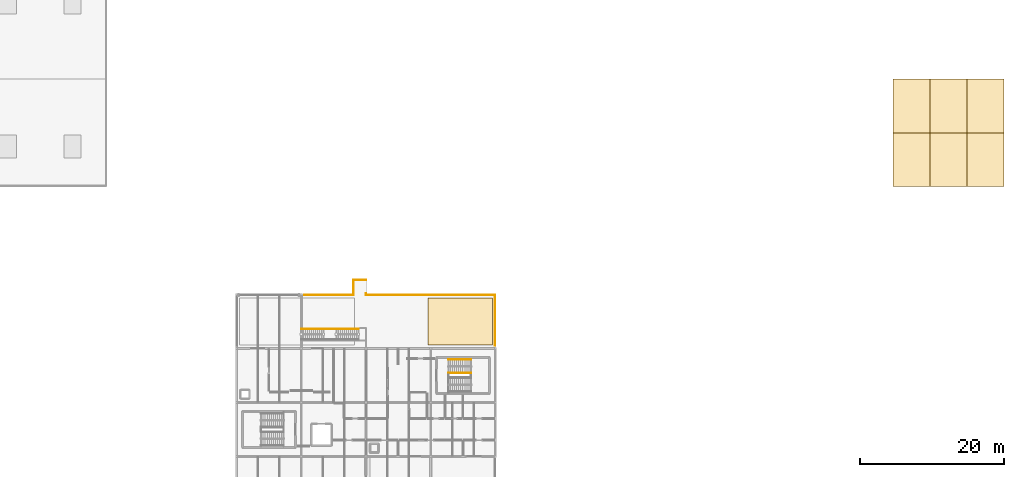
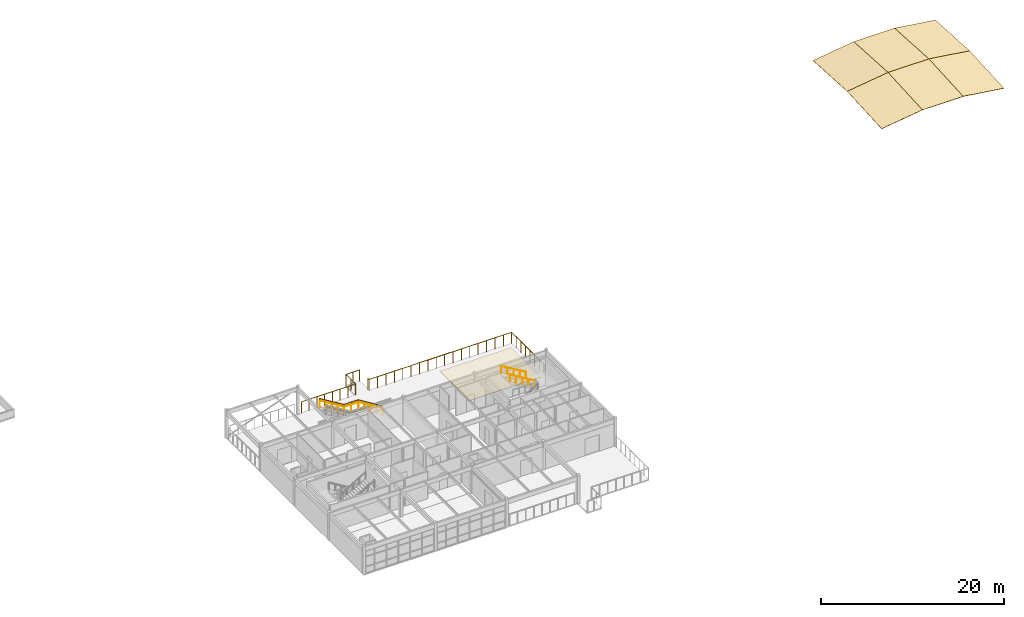
# One storey, part 24 of 24: 7 coverings, 6 railings.
"""IFC4 building model written with IfcOpenShell, lengths in metres."""

from ifc_helpers import new_model, si_unit, direction, frame, origin, origin_2d, place, context, subcontext, project, spatial, polyline, circle, outline, extrude, material, layer, layer_set, type_object, element, save


model = new_model("IFC4")

# Units and contexts
model_context = context("Model", 3, precision=1e-05, world=origin(), true_north=direction((0.0, 1.0)))
body_context = subcontext(model_context, "Body", "Model", "MODEL_VIEW")
ifc_project = project(units=[si_unit("LENGTHUNIT", "METRE"), si_unit("AREAUNIT", "SQUARE_METRE"), si_unit("VOLUMEUNIT", "CUBIC_METRE"), si_unit("PLANEANGLEUNIT", "RADIAN"), si_unit("MASSUNIT", "GRAM", prefix="KILO")], contexts=[model_context])

# Site, building, storey
site_placement = place(None, origin())
site = spatial("IfcSite", under=ifc_project, at=site_placement, CompositionType="ELEMENT")
building_placement = place(site_placement, origin())
building = spatial("IfcBuilding", under=site, at=building_placement, Name="Marnridge Secondary College", CompositionType="ELEMENT")
storey_placement = place(building_placement, frame((0.0, 0.0, 16.10009765625)))
storey = spatial("IfcBuildingStorey", under=building, at=storey_placement, Name="L04", CompositionType="ELEMENT", Elevation=16.10009765625)

# Coverings
ifc_material_1 = material(Name="Charred jarrah acoustic soffit cladding", Category="wood")
ifc_layer_1 = layer(ifc_material_1, 0.034912109375)
ifc_layer_set_1 = layer_set([ifc_layer_1], Name="CV-CLAD-TIM")
covering_type_1 = type_object("IfcCoveringType", Name="CV-CLAD-TIM", PredefinedType="CLADDING", material=ifc_layer_set_1)
covering_1_placement = place(storey_placement, frame((0.0, 0.0, -0.195068359375)))
element("IfcCovering", 1, at=covering_1_placement, inside=storey, type_object=covering_type_1, Name="Timber soffit cladding CVL-06", PredefinedType="CLADDING", context=body_context, shape_type="SweptSolid", body=[
    extrude(outline(polyline([(80.60009765625, 68.0), (89.60009765625, 68.0), (89.60009765625, 74.5), (80.60009765625, 74.5), (80.60009765625, 68.0)])), origin(), (0.0, 0.0, 1.0), 0.034912109375),
])
ifc_material_2 = material(Name="Pre-weathered standing-seam zinc roofing", Category="steel")
ifc_layer_2 = layer(ifc_material_2, 0.044921875)
ifc_layer_set_2 = layer_set([ifc_layer_2], Name="CV-ROOF-ZINC")
covering_type_2 = type_object("IfcCoveringType", Name="CV-ROOF-ZINC", PredefinedType="ROOFING", material=ifc_layer_set_2)
covering_2_placement = place(storey_placement, frame((145.28564453125, 90.0, 0.097412109375), z_axis=(-0.138076520868, -0.058574612421, 0.988687963497), x_axis=(0.990388427346, 0.0, 0.138314001389)))
element("IfcCovering", 2, at=covering_2_placement, inside=storey, type_object=covering_type_2, Name="Standing-seam zinc roof panel CVR-V2-0303", PredefinedType="ROOFING", context=body_context, shape_type="SweptSolid", body=[
    extrude(outline(polyline([(0.0, 0.0), (5.192979102183928, -6.938893903907228e-18), (5.254436983660271, 7.512899397313825), (0.06145788147634237, 7.512899397313825), (0.0, 0.0)])), origin(), (0.0, 0.0, -1.0), 0.044921875),
])
covering_3_placement = place(storey_placement, frame((145.28564453125, 97.5, 0.541748046875), z_axis=(-0.138076520868, 0.058574612421, 0.988687963497), x_axis=(0.990388427346, 0.0, 0.138314001389)))
element("IfcCovering", 3, at=covering_3_placement, inside=storey, type_object=covering_type_2, Name="Standing-seam zinc roof panel CVR-V2-0304", PredefinedType="ROOFING", context=body_context, shape_type="SweptSolid", body=[
    extrude(outline(polyline([(0.0, 0.0), (5.192979102183928, 6.938893903907228e-18), (5.131521220707586, 7.512899397313825), (-0.06145788147634237, 7.512899397313825), (0.0, 0.0)])), origin(), (0.0, 0.0, -1.0), 0.044921875),
])
for number, where, z_axis, x_axis, name in (
    (4, (150.4287109375, 90.0, 0.815673828125), (0.0, -0.059141091583, 0.998249633752), (1.0, 0.0, 0.0), "Standing-seam zinc roof panel CVR-V2-0403"),
    (5, (150.4287109375, 97.5, 1.260009765625), (0.0, 0.059141091583, 0.998249633752), (1.0, 0.0, 0.0), "Standing-seam zinc roof panel CVR-V2-0404"),
):
    element("IfcCovering", number, at=place(storey_placement, frame(where, z_axis=z_axis, x_axis=x_axis)), inside=storey, type_object=covering_type_2, Name=name, PredefinedType="ROOFING", context=body_context, shape_type="SweptSolid", body=[
        extrude(outline(polyline([(0.0, 0.0), (5.142578125, 0.0), (5.142578125, 7.513150765514692), (0.0, 7.513150765514692), (0.0, 0.0)])), origin(), (0.0, 0.0, -1.0), 0.044921875),
    ])
covering_4_placement = place(storey_placement, frame((155.5712890625, 90.0, 0.815673828125), z_axis=(0.138076520868, -0.058574612421, 0.988687963497), x_axis=(0.990388427346, 0.0, -0.138314001389)))
element("IfcCovering", 6, at=covering_4_placement, inside=storey, type_object=covering_type_2, Name="Standing-seam zinc roof panel CVR-V2-0503", PredefinedType="ROOFING", context=body_context, shape_type="SweptSolid", body=[
    extrude(outline(polyline([(0.0, 0.0), (5.192979102183928, 6.938893903907228e-18), (5.131521220707586, 7.512899397313825), (-0.06145788147634237, 7.512899397313825), (0.0, 0.0)])), origin(), (0.0, 0.0, -1.0), 0.044921875),
])
covering_5_placement = place(storey_placement, frame((155.5712890625, 97.5, 1.260009765625), z_axis=(0.138076520868, 0.058574612421, 0.988687963497), x_axis=(0.990388427346, 0.0, -0.138314001389)))
element("IfcCovering", 7, at=covering_5_placement, inside=storey, type_object=covering_type_2, Name="Standing-seam zinc roof panel CVR-V2-0504", PredefinedType="ROOFING", context=body_context, shape_type="SweptSolid", body=[
    extrude(outline(polyline([(0.0, 0.0), (5.192979102183928, -6.938893903907228e-18), (5.254436983660271, 7.512899397313825), (0.06145788147634237, 7.512899397313825), (0.0, 0.0)])), origin(), (0.0, 0.0, -1.0), 0.044921875),
])

# Railings
ifc_material_3 = material(Name="Galvanised steel Grade C350L0 (350 MPa) balustrade", Category="steel")
railing_type_1 = type_object("IfcRailingType", Name="RL-DECK-1500", PredefinedType="BALUSTRADE", material=ifc_material_3)
railing_1_placement = place(storey_placement, frame((63.415283203125, 74.93994140625, 0.0)))
element("IfcRailing", 8, at=railing_1_placement, inside=storey, type_object=railing_type_1, Name="Play deck balustrade GD-013", PredefinedType="BALUSTRADE", context=body_context, shape_type="SweptSolid", body=[
    extrude(circle(Radius=0.02392578125, at=origin_2d()), frame((0.0, 0.0, 1.47607421875), z_axis=(1.0, 0.0, 0.0), x_axis=(0.0, 1.0, 0.0)), (0.0, 0.0, 1.0), 6.8447265625),
    extrude(circle(Radius=0.02392578125, at=origin_2d()), frame((6.8447265625, 0.0, 1.47607421875), z_axis=(0.0, 1.0, 0.0), x_axis=(-1.0, 0.0, 0.0)), (0.0, 0.0, 1.0), 2.10009765625),
    extrude(circle(Radius=0.02392578125, at=origin_2d()), frame((6.8447265625, 2.10009765625, 1.47607421875), z_axis=(1.0, 0.0, 0.0), x_axis=(0.0, 1.0, 0.0)), (0.0, 0.0, 1.0), 1.719970703125),
    extrude(circle(Radius=0.02392578125, at=origin_2d()), frame((8.564697265625, 2.10009765625, 1.47607421875), z_axis=(0.0, -1.0, 0.0), x_axis=(1.0, 0.0, 0.0)), (0.0, 0.0, 1.0), 0.02001953125),
    extrude(circle(Radius=0.02099609375, at=origin_2d()), origin(), (0.0, 0.0, 1.0), 1.451904296875),
    extrude(circle(Radius=0.02099609375, at=origin_2d()), frame((0.977783203125, 0.0, 0.0)), (0.0, 0.0, 1.0), 1.451904296875),
    extrude(circle(Radius=0.02099609375, at=origin_2d()), frame((1.95556640625, 0.0, 0.0)), (0.0, 0.0, 1.0), 1.451904296875),
    extrude(circle(Radius=0.02099609375, at=origin_2d()), frame((2.933349609375, 0.0, 0.0)), (0.0, 0.0, 1.0), 1.451904296875),
    extrude(circle(Radius=0.02099609375, at=origin_2d()), frame((3.911376953125, 0.0, 0.0)), (0.0, 0.0, 1.0), 1.451904296875),
    extrude(circle(Radius=0.02099609375, at=origin_2d()), frame((4.88916015625, 0.0, 0.0)), (0.0, 0.0, 1.0), 1.451904296875),
    extrude(circle(Radius=0.02099609375, at=origin_2d()), frame((5.866943359375, 0.0, 0.0)), (0.0, 0.0, 1.0), 1.451904296875),
    extrude(circle(Radius=0.02099609375, at=origin_2d()), frame((6.8447265625, 0.0, 0.0)), (0.0, 0.0, 1.0), 1.451904296875),
    extrude(circle(Radius=0.02099609375, at=origin_2d()), frame((6.8447265625, 1.050048828125, 0.0)), (0.0, 0.0, 1.0), 1.451904296875),
    extrude(circle(Radius=0.02099609375, at=origin_2d()), frame((6.8447265625, 2.10009765625, 0.0)), (0.0, 0.0, 1.0), 1.451904296875),
    extrude(circle(Radius=0.02099609375, at=origin_2d()), frame((7.70458984375, 2.10009765625, 0.0)), (0.0, 0.0, 1.0), 1.451904296875),
    extrude(circle(Radius=0.02099609375, at=origin_2d()), frame((8.564697265625, 2.10009765625, 0.0)), (0.0, 0.0, 1.0), 1.451904296875),
    extrude(circle(Radius=0.02099609375, at=origin_2d()), frame((8.564697265625, 2.080078125, 0.0)), (0.0, 0.0, 1.0), 1.451904296875),
])
railing_2_placement = place(storey_placement, frame((71.97998046875, 75.179931640625, 0.0)))
element("IfcRailing", 9, at=railing_2_placement, inside=storey, type_object=railing_type_1, Name="Play deck balustrade GD-014", PredefinedType="BALUSTRADE", context=body_context, shape_type="SweptSolid", body=[
    extrude(circle(Radius=0.02392578125, at=origin_2d()), frame((0.0, 0.0, 1.47607421875), z_axis=(0.0, -1.0, 0.0), x_axis=(1.0, 0.0, 0.0)), (0.0, 0.0, 1.0), 0.239990234375),
    extrude(circle(Radius=0.02392578125, at=origin_2d()), frame((0.0, -0.239990234375, 1.47607421875), z_axis=(1.0, 0.0, 0.0), x_axis=(0.0, 1.0, 0.0)), (0.0, 0.0, 1.0), 17.9599609375),
    extrude(circle(Radius=0.02392578125, at=origin_2d()), frame((17.9599609375, -0.239990234375, 1.47607421875), z_axis=(0.0, -1.0, 0.0), x_axis=(1.0, 0.0, 0.0)), (0.0, 0.0, 1.0), 7.024658203125),
    extrude(circle(Radius=0.02099609375, at=origin_2d()), origin(), (0.0, 0.0, 1.0), 1.451904296875),
    extrude(circle(Radius=0.02099609375, at=origin_2d()), frame((0.0, -0.239990234375, 0.0)), (0.0, 0.0, 1.0), 1.451904296875),
    extrude(circle(Radius=0.02099609375, at=origin_2d()), frame((1.056396484375, -0.239990234375, 0.0)), (0.0, 0.0, 1.0), 1.451904296875),
    extrude(circle(Radius=0.02099609375, at=origin_2d()), frame((2.113037109375, -0.239990234375, 0.0)), (0.0, 0.0, 1.0), 1.451904296875),
    extrude(circle(Radius=0.02099609375, at=origin_2d()), frame((3.16943359375, -0.239990234375, 0.0)), (0.0, 0.0, 1.0), 1.451904296875),
    extrude(circle(Radius=0.02099609375, at=origin_2d()), frame((4.225830078125, -0.239990234375, 0.0)), (0.0, 0.0, 1.0), 1.451904296875),
    extrude(circle(Radius=0.02099609375, at=origin_2d()), frame((5.2822265625, -0.239990234375, 0.0)), (0.0, 0.0, 1.0), 1.451904296875),
    extrude(circle(Radius=0.02099609375, at=origin_2d()), frame((6.3388671875, -0.239990234375, 0.0)), (0.0, 0.0, 1.0), 1.451904296875),
    extrude(circle(Radius=0.02099609375, at=origin_2d()), frame((7.395263671875, -0.239990234375, 0.0)), (0.0, 0.0, 1.0), 1.451904296875),
    extrude(circle(Radius=0.02099609375, at=origin_2d()), frame((8.45166015625, -0.239990234375, 0.0)), (0.0, 0.0, 1.0), 1.451904296875),
    extrude(circle(Radius=0.02099609375, at=origin_2d()), frame((9.50830078125, -0.239990234375, 0.0)), (0.0, 0.0, 1.0), 1.451904296875),
    extrude(circle(Radius=0.02099609375, at=origin_2d()), frame((10.564697265625, -0.239990234375, 0.0)), (0.0, 0.0, 1.0), 1.451904296875),
    extrude(circle(Radius=0.02099609375, at=origin_2d()), frame((11.62109375, -0.239990234375, 0.0)), (0.0, 0.0, 1.0), 1.451904296875),
    extrude(circle(Radius=0.02099609375, at=origin_2d()), frame((12.677734375, -0.239990234375, 0.0)), (0.0, 0.0, 1.0), 1.451904296875),
    extrude(circle(Radius=0.02099609375, at=origin_2d()), frame((13.734130859375, -0.239990234375, 0.0)), (0.0, 0.0, 1.0), 1.451904296875),
    extrude(circle(Radius=0.02099609375, at=origin_2d()), frame((14.79052734375, -0.239990234375, 0.0)), (0.0, 0.0, 1.0), 1.451904296875),
    extrude(circle(Radius=0.02099609375, at=origin_2d()), frame((15.846923828125, -0.239990234375, 0.0)), (0.0, 0.0, 1.0), 1.451904296875),
    extrude(circle(Radius=0.02099609375, at=origin_2d()), frame((16.903564453125, -0.239990234375, 0.0)), (0.0, 0.0, 1.0), 1.451904296875),
    extrude(circle(Radius=0.02099609375, at=origin_2d()), frame((17.9599609375, -0.239990234375, 0.0)), (0.0, 0.0, 1.0), 1.451904296875),
    extrude(circle(Radius=0.02099609375, at=origin_2d()), frame((17.9599609375, -1.243408203125, 0.0)), (0.0, 0.0, 1.0), 1.451904296875),
    extrude(circle(Radius=0.02099609375, at=origin_2d()), frame((17.9599609375, -2.2470703125, 0.0)), (0.0, 0.0, 1.0), 1.451904296875),
    extrude(circle(Radius=0.02099609375, at=origin_2d()), frame((17.9599609375, -3.25048828125, 0.0)), (0.0, 0.0, 1.0), 1.451904296875),
    extrude(circle(Radius=0.02099609375, at=origin_2d()), frame((17.9599609375, -4.254150390625, 0.0)), (0.0, 0.0, 1.0), 1.451904296875),
    extrude(circle(Radius=0.02099609375, at=origin_2d()), frame((17.9599609375, -5.257568359375, 0.0)), (0.0, 0.0, 1.0), 1.451904296875),
    extrude(circle(Radius=0.02099609375, at=origin_2d()), frame((17.9599609375, -6.26123046875, 0.0)), (0.0, 0.0, 1.0), 1.451904296875),
    extrude(circle(Radius=0.02099609375, at=origin_2d()), frame((17.9599609375, -7.2646484375, 0.0)), (0.0, 0.0, 1.0), 1.451904296875),
])
ifc_material_4 = material(Name="Stainless steel Grade 350 (350 MPa) 48 mm handrail", Category="steel")
railing_type_2 = type_object("IfcRailingType", Name="RL-HND-900", PredefinedType="HANDRAIL", material=ifc_material_4)
for number, where, name in (
    (10, (86.5849609375, 64.090087890625, 1.89990234375), "Stair handrail HR-057"),
    (11, (86.5849609375, 65.969970703125, 1.89990234375), "Stair handrail HR-058"),
):
    element("IfcRailing", number, at=place(storey_placement, frame(where)), inside=storey, type_object=railing_type_2, Name=name, PredefinedType="HANDRAIL", context=body_context, shape_type="SweptSolid", body=[
        extrude(circle(Radius=0.02392578125, at=origin_2d()), frame((0.0, 0.0, 0.8759765625), z_axis=(-0.855210355142, 0.0, 0.518281051609), x_axis=(0.0, -1.0, 0.0)), (0.0, 0.0, 1.0), 3.665771484375),
        extrude(circle(Radius=0.02099609375, at=origin_2d()), origin(), (0.0, 0.0, 1.0), 0.851806640625),
        extrude(circle(Radius=0.02099609375, at=origin_2d()), frame((-0.78369140625, 0.0, 0.47509765625)), (0.0, 0.0, 1.0), 0.851806640625),
        extrude(circle(Radius=0.02099609375, at=origin_2d()), frame((-1.5673828125, 0.0, 0.949951171875)), (0.0, 0.0, 1.0), 0.851806640625),
        extrude(circle(Radius=0.02099609375, at=origin_2d()), frame((-2.351318359375, 0.0, 1.4248046875)), (0.0, 0.0, 1.0), 0.851806640625),
        extrude(circle(Radius=0.02099609375, at=origin_2d()), frame((-3.135009765625, 0.0, 1.89990234375)), (0.0, 0.0, 1.0), 0.851806640625),
    ])
ifc_material_5 = material(Name="Galvanised steel Grade 350 (350 MPa) 48 mm handrail", Category="steel")
railing_type_3 = type_object("IfcRailingType", Name="RL-HND-EXT900", PredefinedType="HANDRAIL", material=ifc_material_5)
railing_3_placement = place(storey_placement, frame((70.9599609375, 70.2099609375, 0.0)))
element("IfcRailing", 12, at=railing_3_placement, inside=storey, type_object=railing_type_3, Name="Exterior stair handrail HR-196", PredefinedType="HANDRAIL", context=body_context, shape_type="SweptSolid", body=[
    extrude(circle(Radius=0.02392578125, at=origin_2d()), frame((0.0, 0.0, 0.8759765625), z_axis=(-0.851106564228, 0.0, 0.524992967884), x_axis=(0.0, -1.0, 0.0)), (0.0, 0.0, 1.0), 3.618896484375),
    extrude(circle(Radius=0.02392578125, at=origin_2d()), frame((-3.080078125, 0.0, 2.77587890625), z_axis=(-1.0, 0.0, 0.0), x_axis=(0.0, -1.0, 0.0)), (0.0, 0.0, 1.0), 1.7998046875),
    extrude(circle(Radius=0.02392578125, at=origin_2d()), frame((-4.8798828125, 0.0, 2.77587890625), z_axis=(-0.851106564228, 0.0, 0.524992967884), x_axis=(0.0, -1.0, 0.0)), (0.0, 0.0, 1.0), 3.618896484375),
    extrude(circle(Radius=0.02099609375, at=origin_2d()), origin(), (0.0, 0.0, 1.0), 0.851806640625),
    extrude(circle(Radius=0.02099609375, at=origin_2d()), frame((-0.77001953125, 0.0, 0.47509765625)), (0.0, 0.0, 1.0), 0.851806640625),
    extrude(circle(Radius=0.02099609375, at=origin_2d()), frame((-1.5400390625, 0.0, 0.949951171875)), (0.0, 0.0, 1.0), 0.851806640625),
    extrude(circle(Radius=0.02099609375, at=origin_2d()), frame((-2.31005859375, 0.0, 1.4248046875)), (0.0, 0.0, 1.0), 0.851806640625),
    extrude(circle(Radius=0.02099609375, at=origin_2d()), frame((-3.080078125, 0.0, 1.89990234375)), (0.0, 0.0, 1.0), 0.851806640625),
    extrude(circle(Radius=0.02099609375, at=origin_2d()), frame((-3.97998046875, 0.0, 1.89990234375)), (0.0, 0.0, 1.0), 0.851806640625),
    extrude(circle(Radius=0.02099609375, at=origin_2d()), frame((-4.8798828125, 0.0, 1.89990234375)), (0.0, 0.0, 1.0), 0.851806640625),
    extrude(circle(Radius=0.02099609375, at=origin_2d()), frame((-5.64990234375, 0.0, 2.375)), (0.0, 0.0, 1.0), 0.851806640625),
    extrude(circle(Radius=0.02099609375, at=origin_2d()), frame((-6.419921875, 0.0, 2.849853515625)), (0.0, 0.0, 1.0), 0.851806640625),
    extrude(circle(Radius=0.02099609375, at=origin_2d()), frame((-7.18994140625, 0.0, 3.32470703125)), (0.0, 0.0, 1.0), 0.851806640625),
    extrude(circle(Radius=0.02099609375, at=origin_2d()), frame((-7.9599609375, 0.0, 3.7998046875)), (0.0, 0.0, 1.0), 0.851806640625),
])
ifc_material_6 = material(Name="Galvanised steel Grade C350L0 (350 MPa) exterior stair balustrade", Category="steel")
railing_type_4 = type_object("IfcRailingType", Name="RL-STAIR-EXT1150", PredefinedType="BALUSTRADE", material=ifc_material_6)
railing_4_placement = place(storey_placement, frame((70.9599609375, 70.260009765625, 0.0)))
element("IfcRailing", 13, at=railing_4_placement, inside=storey, type_object=railing_type_4, Name="Exterior stair guard GS-194", PredefinedType="BALUSTRADE", context=body_context, shape_type="SweptSolid", body=[
    extrude(circle(Radius=0.02392578125, at=origin_2d()), frame((0.0, 0.0, 1.1259765625), z_axis=(-0.851106564228, 0.0, 0.524992967884), x_axis=(0.0, -1.0, 0.0)), (0.0, 0.0, 1.0), 3.618896484375),
    extrude(circle(Radius=0.02392578125, at=origin_2d()), frame((-3.080078125, 0.0, 3.02587890625), z_axis=(-1.0, 0.0, 0.0), x_axis=(0.0, -1.0, 0.0)), (0.0, 0.0, 1.0), 1.7998046875),
    extrude(circle(Radius=0.02392578125, at=origin_2d()), frame((-4.8798828125, 0.0, 3.02587890625), z_axis=(-0.851106564228, 0.0, 0.524992967884), x_axis=(0.0, -1.0, 0.0)), (0.0, 0.0, 1.0), 3.618896484375),
    extrude(circle(Radius=0.02099609375, at=origin_2d()), origin(), (0.0, 0.0, 1.0), 1.101806640625),
    extrude(circle(Radius=0.02099609375, at=origin_2d()), frame((-0.77001953125, 0.0, 0.47509765625)), (0.0, 0.0, 1.0), 1.101806640625),
    extrude(circle(Radius=0.02099609375, at=origin_2d()), frame((-1.5400390625, 0.0, 0.949951171875)), (0.0, 0.0, 1.0), 1.101806640625),
    extrude(circle(Radius=0.02099609375, at=origin_2d()), frame((-2.31005859375, 0.0, 1.4248046875)), (0.0, 0.0, 1.0), 1.101806640625),
    extrude(circle(Radius=0.02099609375, at=origin_2d()), frame((-3.080078125, 0.0, 1.89990234375)), (0.0, 0.0, 1.0), 1.101806640625),
    extrude(circle(Radius=0.02099609375, at=origin_2d()), frame((-3.97998046875, 0.0, 1.89990234375)), (0.0, 0.0, 1.0), 1.101806640625),
    extrude(circle(Radius=0.02099609375, at=origin_2d()), frame((-4.8798828125, 0.0, 1.89990234375)), (0.0, 0.0, 1.0), 1.101806640625),
    extrude(circle(Radius=0.02099609375, at=origin_2d()), frame((-5.64990234375, 0.0, 2.375)), (0.0, 0.0, 1.0), 1.101806640625),
    extrude(circle(Radius=0.02099609375, at=origin_2d()), frame((-6.419921875, 0.0, 2.849853515625)), (0.0, 0.0, 1.0), 1.101806640625),
    extrude(circle(Radius=0.02099609375, at=origin_2d()), frame((-7.18994140625, 0.0, 3.32470703125)), (0.0, 0.0, 1.0), 1.101806640625),
    extrude(circle(Radius=0.02099609375, at=origin_2d()), frame((-7.9599609375, 0.0, 3.7998046875)), (0.0, 0.0, 1.0), 1.101806640625),
])

save(model, "model.ifc")
